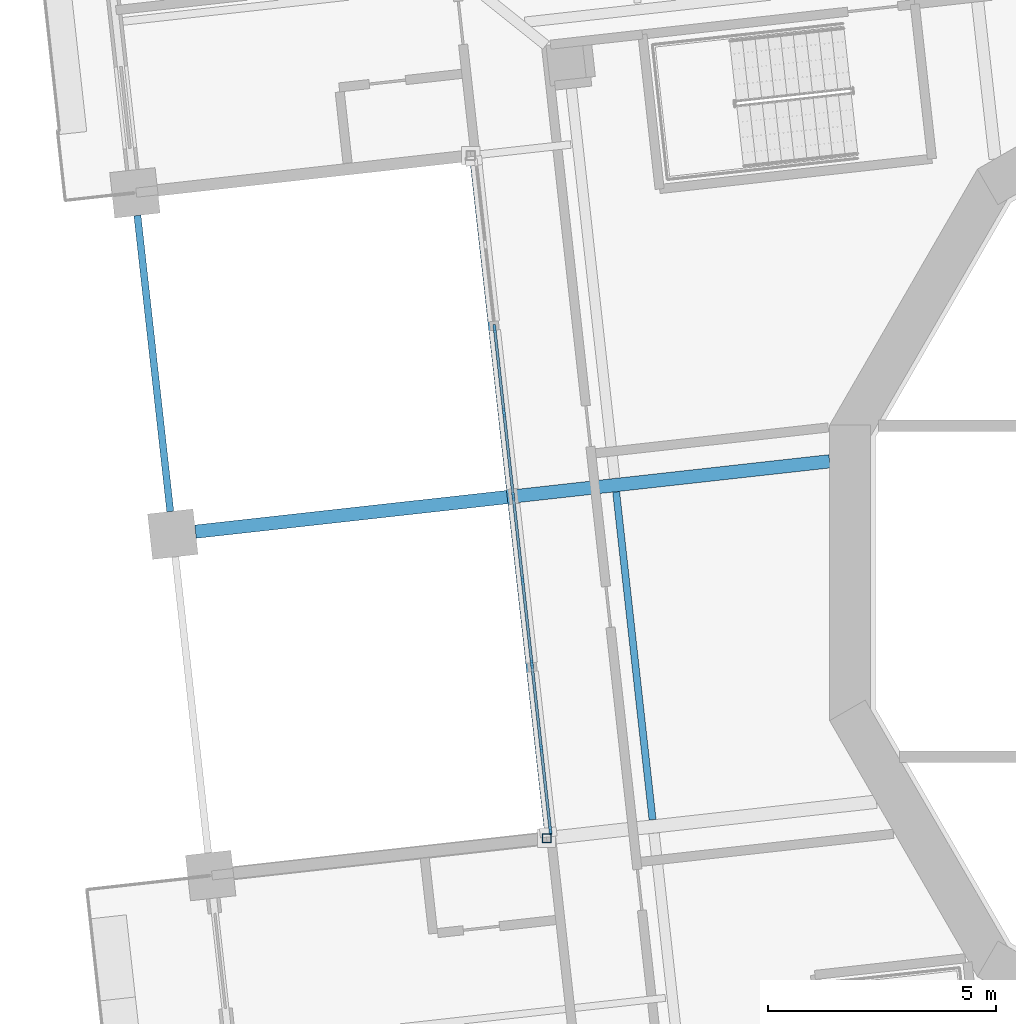
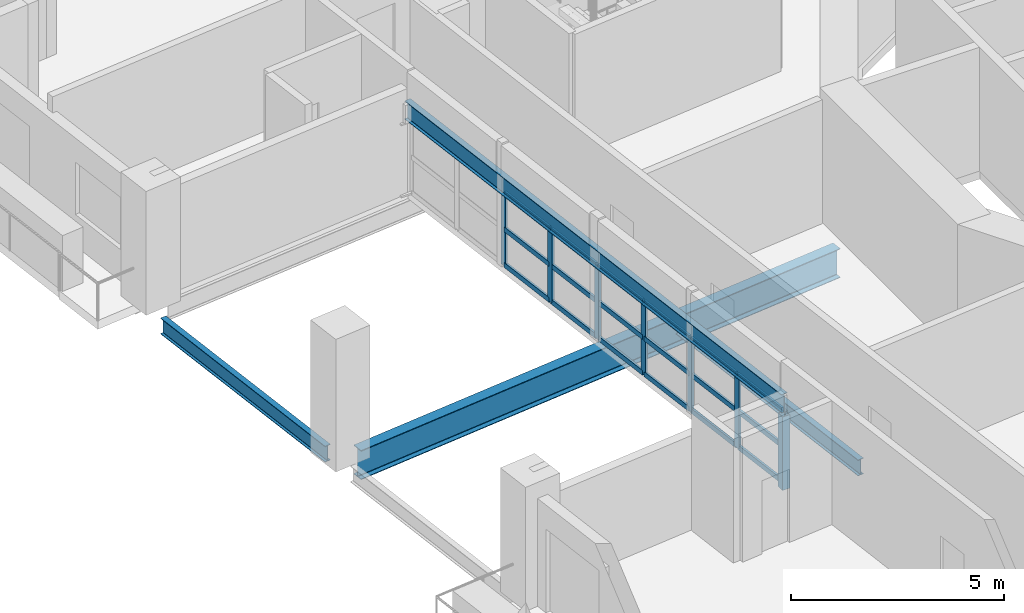
# One storey, part 2 of 21: 26 members, 4 beams, 1 element without a shape of its own.
"""IFC4 building model written with IfcOpenShell, lengths in metres."""

from ifc_helpers import new_model, si_unit, direction, frame, origin, origin_2d, place, context, subcontext, project, spatial, rectangle, hollow_rectangle, i_section, extrude, material, material_profile, profile_set, type_object, element, aggregate, save


model = new_model("IFC4")

# Units and contexts
model_context = context("Model", 3, precision=1e-05, world=origin(), true_north=direction((0.0, 1.0)))
body_context = subcontext(model_context, "Body", "Model", "MODEL_VIEW")
ifc_project = project(units=[si_unit("LENGTHUNIT", "METRE"), si_unit("AREAUNIT", "SQUARE_METRE"), si_unit("VOLUMEUNIT", "CUBIC_METRE"), si_unit("PLANEANGLEUNIT", "RADIAN"), si_unit("MASSUNIT", "GRAM", prefix="KILO")], contexts=[model_context])

# Site, building, storey
site_placement = place(None, origin())
site = spatial("IfcSite", under=ifc_project, at=site_placement, CompositionType="ELEMENT")
building_placement = place(site_placement, origin())
building = spatial("IfcBuilding", under=site, at=building_placement, Name="Cantera Rosa Tower", CompositionType="ELEMENT")
storey_placement = place(building_placement, frame((0.0, 0.0, 72.89990234375)))
storey = spatial("IfcBuildingStorey", under=building, at=storey_placement, Name="L15", CompositionType="ELEMENT", Elevation=72.89990234375)

# Curtain wall, members
ifc_material_1 = material(Name="Aluminium frame with clear glass", Category="aluminium")
curtain_wall_type = type_object("IfcCurtainWallType", Name="CW1 TERRACE POCKET GLAZING", PredefinedType="NOTDEFINED", material=ifc_material_1)
curtain_wall_placement = place(storey_placement, origin())
curtain_wall = element("IfcCurtainWall", 1, at=curtain_wall_placement, inside=storey, type_object=curtain_wall_type, Name="CW1 CW1", PredefinedType="NOTDEFINED")
ifc_material_2 = material(Name="Anodised bronze aluminium", Category="aluminium")
ifc_material_profile_1 = material_profile(ifc_material_2, rectangle(XDim=0.06005859375, YDim=0.179931640625, at=origin_2d()), Name="CW-MULLION 60x180 POCKET")
ifc_profile_set_1 = profile_set([ifc_material_profile_1], Name="Anodised bronze aluminium")
member_type_1 = type_object("IfcMemberType", Name="CW-MULLION 60x180 POCKET", PredefinedType="MULLION", material=ifc_profile_set_1)
member_1_placement = place(storey_placement, frame((-19.408447265625, 5.34912109375, 0.0), z_axis=(0.0, 0.0, 1.0), x_axis=(0.993896946417, 0.110312555508, 0.0)))
member_1 = element("IfcMember", 2, at=member_1_placement, type_object=member_type_1, Name="CW1 mullion 3", PredefinedType="MULLION", context=body_context, shape_type="SweptSolid", body=[
    extrude(rectangle(XDim=0.06005859375, YDim=0.179931640625, at=origin_2d()), origin(), (0.0, 0.0, 1.0), 2.10400390625),
])
member_2_placement = place(storey_placement, frame((-19.20458984375, 3.51171875, 0.0), z_axis=(0.0, 0.0, 1.0), x_axis=(0.993896946417, 0.110312555508, 0.0)))
member_2 = element("IfcMember", 3, at=member_2_placement, type_object=member_type_1, Name="CW1 mullion 4", PredefinedType="MULLION", context=body_context, shape_type="SweptSolid", body=[
    extrude(rectangle(XDim=0.06005859375, YDim=0.179931640625, at=origin_2d()), origin(), (0.0, 0.0, 1.0), 2.10400390625),
])
member_3_placement = place(storey_placement, frame((-19.000732421875, 1.67431640625, 0.0), z_axis=(0.0, 0.0, 1.0), x_axis=(0.993896946417, 0.110312555508, 0.0)))
member_3 = element("IfcMember", 4, at=member_3_placement, type_object=member_type_1, Name="CW1 mullion 5", PredefinedType="MULLION", context=body_context, shape_type="SweptSolid", body=[
    extrude(rectangle(XDim=0.06005859375, YDim=0.179931640625, at=origin_2d()), origin(), (0.0, 0.0, 1.0), 2.10400390625),
])
member_4_placement = place(storey_placement, frame((-18.796630859375, -0.163330078125, 0.0), z_axis=(0.0, 0.0, 1.0), x_axis=(0.993896946417, 0.110312555508, 0.0)))
member_4 = element("IfcMember", 5, at=member_4_placement, type_object=member_type_1, Name="CW1 mullion 6", PredefinedType="MULLION", context=body_context, shape_type="SweptSolid", body=[
    extrude(rectangle(XDim=0.06005859375, YDim=0.179931640625, at=origin_2d()), origin(), (0.0, 0.0, 1.0), 2.10400390625),
])
member_5_placement = place(storey_placement, frame((-18.5927734375, -2.000732421875, 0.0), z_axis=(0.0, 0.0, 1.0), x_axis=(0.993896946417, 0.110312555508, 0.0)))
member_5 = element("IfcMember", 6, at=member_5_placement, type_object=member_type_1, Name="CW1 mullion 7", PredefinedType="MULLION", context=body_context, shape_type="SweptSolid", body=[
    extrude(rectangle(XDim=0.06005859375, YDim=0.179931640625, at=origin_2d()), origin(), (0.0, 0.0, 1.0), 2.10400390625),
])
member_6_placement = place(storey_placement, frame((-18.388916015625, -3.838134765625, 0.0), z_axis=(0.0, 0.0, 1.0), x_axis=(0.993896946417, 0.110312555508, 0.0)))
member_6 = element("IfcMember", 7, at=member_6_placement, type_object=member_type_1, Name="CW1 mullion 8", PredefinedType="MULLION", context=body_context, shape_type="SweptSolid", body=[
    extrude(rectangle(XDim=0.06005859375, YDim=0.179931640625, at=origin_2d()), origin(), (0.0, 0.0, 1.0), 2.10400390625),
])
member_7_placement = place(storey_placement, frame((-18.188232421875, -5.645751953125, 0.0), z_axis=(0.0, 0.0, 1.0), x_axis=(0.993896946417, 0.110312555508, 0.0)))
member_7 = element("IfcMember", 8, at=member_7_placement, type_object=member_type_1, Name="CW1 mullion 9", PredefinedType="MULLION", context=body_context, shape_type="SweptSolid", body=[
    extrude(rectangle(XDim=0.06005859375, YDim=0.179931640625, at=origin_2d()), origin(), (0.0, 0.0, 1.0), 2.10400390625),
])
ifc_material_3 = material(Name="Anodised bronze aluminium", Category="aluminium")
ifc_material_profile_2 = material_profile(ifc_material_3, rectangle(XDim=0.06005859375, YDim=0.139892578125, at=origin_2d()), Name="CW-TRANSOM 60x140 POCKET")
ifc_profile_set_2 = profile_set([ifc_material_profile_2], Name="Anodised bronze aluminium")
member_type_2 = type_object("IfcMemberType", Name="CW-TRANSOM 60x140 POCKET", PredefinedType="USERDEFINED", material=ifc_profile_set_2)
member_8_placement = place(storey_placement, frame((-19.4052734375, 5.3193359375, 0.030029296875), z_axis=(0.110281721709, -0.993900368174, 0.0), x_axis=(0.993900368174, 0.110281721709, 0.0)))
member_8 = element("IfcMember", 9, at=member_8_placement, type_object=member_type_2, Name="CW1 transom 3.1", ObjectType="TRANSOM", PredefinedType="USERDEFINED", context=body_context, shape_type="SweptSolid", body=[
    extrude(rectangle(XDim=0.06005859375, YDim=0.139892578125, at=origin_2d()), origin(), (0.0, 0.0, 1.0), 1.788818359375),
])
member_9_placement = place(storey_placement, frame((-19.4052734375, 5.3193359375, 1.052001953125), z_axis=(0.110281721709, -0.993900368174, 0.0), x_axis=(0.993900368174, 0.110281721709, 0.0)))
member_9 = element("IfcMember", 10, at=member_9_placement, type_object=member_type_2, Name="CW1 transom 3.2", ObjectType="TRANSOM", PredefinedType="USERDEFINED", context=body_context, shape_type="SweptSolid", body=[
    extrude(rectangle(XDim=0.06005859375, YDim=0.139892578125, at=origin_2d()), origin(), (0.0, 0.0, 1.0), 1.788818359375),
])
member_10_placement = place(storey_placement, frame((-19.4052734375, 5.3193359375, 2.07421875), z_axis=(0.110281721709, -0.993900368174, 0.0), x_axis=(0.993900368174, 0.110281721709, 0.0)))
member_10 = element("IfcMember", 11, at=member_10_placement, type_object=member_type_2, Name="CW1 transom 3.3", ObjectType="TRANSOM", PredefinedType="USERDEFINED", context=body_context, shape_type="SweptSolid", body=[
    extrude(rectangle(XDim=0.06005859375, YDim=0.139892578125, at=origin_2d()), origin(), (0.0, 0.0, 1.0), 1.788818359375),
])
member_11_placement = place(storey_placement, frame((-19.201171875, 3.48193359375, 0.030029296875), z_axis=(0.110281721709, -0.993900368174, 0.0), x_axis=(0.993900368174, 0.110281721709, 0.0)))
member_11 = element("IfcMember", 12, at=member_11_placement, type_object=member_type_2, Name="CW1 transom 4.1", ObjectType="TRANSOM", PredefinedType="USERDEFINED", context=body_context, shape_type="SweptSolid", body=[
    extrude(rectangle(XDim=0.06005859375, YDim=0.139892578125, at=origin_2d()), origin(), (0.0, 0.0, 1.0), 1.788818359375),
])
member_12_placement = place(storey_placement, frame((-19.201171875, 3.48193359375, 1.052001953125), z_axis=(0.110281721709, -0.993900368174, 0.0), x_axis=(0.993900368174, 0.110281721709, 0.0)))
member_12 = element("IfcMember", 13, at=member_12_placement, type_object=member_type_2, Name="CW1 transom 4.2", ObjectType="TRANSOM", PredefinedType="USERDEFINED", context=body_context, shape_type="SweptSolid", body=[
    extrude(rectangle(XDim=0.06005859375, YDim=0.139892578125, at=origin_2d()), origin(), (0.0, 0.0, 1.0), 1.788818359375),
])
member_13_placement = place(storey_placement, frame((-19.201171875, 3.48193359375, 2.07421875), z_axis=(0.110281721709, -0.993900368174, 0.0), x_axis=(0.993900368174, 0.110281721709, 0.0)))
member_13 = element("IfcMember", 14, at=member_13_placement, type_object=member_type_2, Name="CW1 transom 4.3", ObjectType="TRANSOM", PredefinedType="USERDEFINED", context=body_context, shape_type="SweptSolid", body=[
    extrude(rectangle(XDim=0.06005859375, YDim=0.139892578125, at=origin_2d()), origin(), (0.0, 0.0, 1.0), 1.788818359375),
])
member_14_placement = place(storey_placement, frame((-18.997314453125, 1.644287109375, 0.030029296875), z_axis=(0.110281721709, -0.993900368174, 0.0), x_axis=(0.993900368174, 0.110281721709, 0.0)))
member_14 = element("IfcMember", 15, at=member_14_placement, type_object=member_type_2, Name="CW1 transom 5.1", ObjectType="TRANSOM", PredefinedType="USERDEFINED", context=body_context, shape_type="SweptSolid", body=[
    extrude(rectangle(XDim=0.06005859375, YDim=0.139892578125, at=origin_2d()), origin(), (0.0, 0.0, 1.0), 1.788818359375),
])
member_15_placement = place(storey_placement, frame((-18.997314453125, 1.644287109375, 1.052001953125), z_axis=(0.110281721709, -0.993900368174, 0.0), x_axis=(0.993900368174, 0.110281721709, 0.0)))
member_15 = element("IfcMember", 16, at=member_15_placement, type_object=member_type_2, Name="CW1 transom 5.2", ObjectType="TRANSOM", PredefinedType="USERDEFINED", context=body_context, shape_type="SweptSolid", body=[
    extrude(rectangle(XDim=0.06005859375, YDim=0.139892578125, at=origin_2d()), origin(), (0.0, 0.0, 1.0), 1.788818359375),
])
member_16_placement = place(storey_placement, frame((-18.997314453125, 1.644287109375, 2.07421875), z_axis=(0.110281721709, -0.993900368174, 0.0), x_axis=(0.993900368174, 0.110281721709, 0.0)))
member_16 = element("IfcMember", 17, at=member_16_placement, type_object=member_type_2, Name="CW1 transom 5.3", ObjectType="TRANSOM", PredefinedType="USERDEFINED", context=body_context, shape_type="SweptSolid", body=[
    extrude(rectangle(XDim=0.06005859375, YDim=0.139892578125, at=origin_2d()), origin(), (0.0, 0.0, 1.0), 1.788818359375),
])
member_17_placement = place(storey_placement, frame((-18.79345703125, -0.193115234375, 0.030029296875), z_axis=(0.110281721709, -0.993900368174, 0.0), x_axis=(0.993900368174, 0.110281721709, 0.0)))
member_17 = element("IfcMember", 18, at=member_17_placement, type_object=member_type_2, Name="CW1 transom 6.1", ObjectType="TRANSOM", PredefinedType="USERDEFINED", context=body_context, shape_type="SweptSolid", body=[
    extrude(rectangle(XDim=0.06005859375, YDim=0.139892578125, at=origin_2d()), origin(), (0.0, 0.0, 1.0), 1.788818359375),
])
member_18_placement = place(storey_placement, frame((-18.79345703125, -0.193115234375, 1.052001953125), z_axis=(0.110281721709, -0.993900368174, 0.0), x_axis=(0.993900368174, 0.110281721709, 0.0)))
member_18 = element("IfcMember", 19, at=member_18_placement, type_object=member_type_2, Name="CW1 transom 6.2", ObjectType="TRANSOM", PredefinedType="USERDEFINED", context=body_context, shape_type="SweptSolid", body=[
    extrude(rectangle(XDim=0.06005859375, YDim=0.139892578125, at=origin_2d()), origin(), (0.0, 0.0, 1.0), 1.788818359375),
])
member_19_placement = place(storey_placement, frame((-18.79345703125, -0.193115234375, 2.07421875), z_axis=(0.110281721709, -0.993900368174, 0.0), x_axis=(0.993900368174, 0.110281721709, 0.0)))
member_19 = element("IfcMember", 20, at=member_19_placement, type_object=member_type_2, Name="CW1 transom 6.3", ObjectType="TRANSOM", PredefinedType="USERDEFINED", context=body_context, shape_type="SweptSolid", body=[
    extrude(rectangle(XDim=0.06005859375, YDim=0.139892578125, at=origin_2d()), origin(), (0.0, 0.0, 1.0), 1.788818359375),
])
member_20_placement = place(storey_placement, frame((-18.58935546875, -2.030517578125, 0.030029296875), z_axis=(0.110281721709, -0.993900368174, 0.0), x_axis=(0.993900368174, 0.110281721709, 0.0)))
member_20 = element("IfcMember", 21, at=member_20_placement, type_object=member_type_2, Name="CW1 transom 7.1", ObjectType="TRANSOM", PredefinedType="USERDEFINED", context=body_context, shape_type="SweptSolid", body=[
    extrude(rectangle(XDim=0.06005859375, YDim=0.139892578125, at=origin_2d()), origin(), (0.0, 0.0, 1.0), 1.788818359375),
])
member_21_placement = place(storey_placement, frame((-18.58935546875, -2.030517578125, 1.052001953125), z_axis=(0.110281721709, -0.993900368174, 0.0), x_axis=(0.993900368174, 0.110281721709, 0.0)))
member_21 = element("IfcMember", 22, at=member_21_placement, type_object=member_type_2, Name="CW1 transom 7.2", ObjectType="TRANSOM", PredefinedType="USERDEFINED", context=body_context, shape_type="SweptSolid", body=[
    extrude(rectangle(XDim=0.06005859375, YDim=0.139892578125, at=origin_2d()), origin(), (0.0, 0.0, 1.0), 1.788818359375),
])
member_22_placement = place(storey_placement, frame((-18.58935546875, -2.030517578125, 2.07421875), z_axis=(0.110281721709, -0.993900368174, 0.0), x_axis=(0.993900368174, 0.110281721709, 0.0)))
member_22 = element("IfcMember", 23, at=member_22_placement, type_object=member_type_2, Name="CW1 transom 7.3", ObjectType="TRANSOM", PredefinedType="USERDEFINED", context=body_context, shape_type="SweptSolid", body=[
    extrude(rectangle(XDim=0.06005859375, YDim=0.139892578125, at=origin_2d()), origin(), (0.0, 0.0, 1.0), 1.788818359375),
])
member_23_placement = place(storey_placement, frame((-18.385498046875, -3.867919921875, 0.030029296875), z_axis=(0.110355348566, -0.993892195886, 0.0), x_axis=(0.993892195886, 0.110355348566, 0.0)))
member_23 = element("IfcMember", 24, at=member_23_placement, type_object=member_type_2, Name="CW1 transom 8.1", ObjectType="TRANSOM", PredefinedType="USERDEFINED", context=body_context, shape_type="SweptSolid", body=[
    extrude(rectangle(XDim=0.06005859375, YDim=0.139892578125, at=origin_2d()), origin(), (0.0, 0.0, 1.0), 1.7587890625),
])
member_24_placement = place(storey_placement, frame((-18.385498046875, -3.867919921875, 1.052001953125), z_axis=(0.110355348566, -0.993892195886, 0.0), x_axis=(0.993892195886, 0.110355348566, 0.0)))
member_24 = element("IfcMember", 25, at=member_24_placement, type_object=member_type_2, Name="CW1 transom 8.2", ObjectType="TRANSOM", PredefinedType="USERDEFINED", context=body_context, shape_type="SweptSolid", body=[
    extrude(rectangle(XDim=0.06005859375, YDim=0.139892578125, at=origin_2d()), origin(), (0.0, 0.0, 1.0), 1.7587890625),
])
member_25_placement = place(storey_placement, frame((-18.385498046875, -3.867919921875, 2.07421875), z_axis=(0.110355348566, -0.993892195886, 0.0), x_axis=(0.993892195886, 0.110355348566, 0.0)))
member_25 = element("IfcMember", 26, at=member_25_placement, type_object=member_type_2, Name="CW1 transom 8.3", ObjectType="TRANSOM", PredefinedType="USERDEFINED", context=body_context, shape_type="SweptSolid", body=[
    extrude(rectangle(XDim=0.06005859375, YDim=0.139892578125, at=origin_2d()), origin(), (0.0, 0.0, 1.0), 1.7587890625),
])
aggregate(curtain_wall, [member_1, member_2, member_3, member_4, member_5, member_6, member_7, member_8, member_9, member_10, member_11, member_12, member_13, member_14, member_15, member_16, member_17, member_18, member_19, member_20, member_21, member_22, member_23, member_24, member_25])

# Member
ifc_material_4 = material(Name="Steel ASTM A992 (Fy 345 MPa)", Category="steel")
ifc_material_profile_3 = material_profile(ifc_material_4, hollow_rectangle(XDim=0.199951171875, YDim=0.199951171875, WallThickness=0.010009765625, at=origin_2d()), Name="LINTEL POST RHS 200x200x10")
ifc_profile_set_3 = profile_set([ifc_material_profile_3], Name="Steel ASTM A992 (Fy 345 MPa)")
member_type_3 = type_object("IfcMemberType", Name="LINTEL POST RHS 200x200x10", PredefinedType="USERDEFINED", material=ifc_profile_set_3)
member_26_placement = place(storey_placement, frame((-18.2705078125, -5.810791015625, 0.0), z_axis=(0.0, 0.0, 1.0), x_axis=(1.0, 0.0, 0.0)))
element("IfcMember", 27, at=member_26_placement, inside=storey, type_object=member_type_3, Name="LINTEL POST L15-2", ObjectType="LINTEL POST", PredefinedType="USERDEFINED", context=body_context, shape_type="SweptSolid", body=[
    extrude(hollow_rectangle(XDim=0.199951171875, YDim=0.199951171875, WallThickness=0.010009765625, at=origin_2d()), origin(), (0.0, 0.0, 1.0), 2.106201171875),
])

# Beams
ifc_material_5 = material(Name="Steel ASTM A992 (Fy 345 MPa)", Category="steel")
ifc_material_profile_4 = material_profile(ifc_material_5, i_section(OverallWidth=0.154052734375, OverallDepth=0.4599609375, WebThickness=0.009033203125, FlangeThickness=0.015380859375, FilletRadius=0.01025390625, at=origin_2d()), Name="W460X68")
ifc_profile_set_4 = profile_set([ifc_material_profile_4], Name="Steel ASTM A992 (Fy 345 MPa)")
beam_type_1 = type_object("IfcBeamType", Name="STEEL BEAM W460X68", PredefinedType="BEAM", material=ifc_profile_set_4)
beam_1_placement = place(storey_placement, frame((-15.951416015625, -5.402587890625, -0.47998046875), z_axis=(-0.110301629462, 0.993898159037, 0.0), x_axis=(-0.993898159037, -0.110301629462, 0.0)))
element("IfcBeam", 28, at=beam_1_placement, inside=storey, type_object=beam_type_1, Name="RB-Z1-11 L15", PredefinedType="BEAM", context=body_context, shape_type="SweptSolid", body=[
    extrude(i_section(OverallWidth=0.154052734375, OverallDepth=0.4599609375, WebThickness=0.009033203125, FlangeThickness=0.015380859375, FilletRadius=0.01025390625, at=origin_2d()), origin(), (0.0, 0.0, 1.0), 7.219970703125),
])
ifc_material_6 = material(Name="Steel ASTM A992 (Fy 345 MPa)", Category="steel")
ifc_material_profile_5 = material_profile(ifc_material_6, i_section(OverallWidth=0.166015625, OverallDepth=0.528076171875, WebThickness=0.009765625, FlangeThickness=0.013671875, FilletRadius=0.0126953125, at=origin_2d()), Name="W530X74")
ifc_profile_set_5 = profile_set([ifc_material_profile_5], Name="Steel ASTM A992 (Fy 345 MPa)")
beam_type_2 = type_object("IfcBeamType", Name="STEEL BEAM W530X74", PredefinedType="BEAM", material=ifc_profile_set_5)
beam_2_placement = place(storey_placement, frame((-19.87451171875, 9.093017578125, 2.3701171875), z_axis=(0.110322116426, -0.993895885205, 0.0), x_axis=(0.993895885205, 0.110322116426, 0.0)))
element("IfcBeam", 29, at=beam_2_placement, inside=storey, type_object=beam_type_2, Name="LINTEL SL-L15", PredefinedType="BEAM", context=body_context, shape_type="SweptSolid", body=[
    extrude(i_section(OverallWidth=0.166015625, OverallDepth=0.528076171875, WebThickness=0.009765625, FlangeThickness=0.013671875, FilletRadius=0.0126953125, at=origin_2d()), origin(), (0.0, 0.0, 1.0), 14.93994140625),
])
ifc_material_7 = material(Name="Steel ASTM A992 (Fy 345 MPa)", Category="steel")
ifc_material_profile_6 = material_profile(ifc_material_7, i_section(OverallWidth=0.2919921875, OverallDepth=0.8359375, WebThickness=0.013916015625, FlangeThickness=0.018798828125, FilletRadius=0.017822265625, at=origin_2d()), Name="W840X176")
ifc_profile_set_6 = profile_set([ifc_material_profile_6], Name="Steel ASTM A992 (Fy 345 MPa)")
beam_type_3 = type_object("IfcBeamType", Name="STEEL BEAM W840X176", PredefinedType="BEAM", material=ifc_profile_set_6)
beam_3_placement = place(storey_placement, frame((-25.9580078125, 0.902099609375, -0.66796875), z_axis=(0.993898644981, 0.110297250672, 0.0), x_axis=(-0.110297250672, 0.993898644981, 0.0)))
element("IfcBeam", 30, at=beam_3_placement, inside=storey, type_object=beam_type_3, Name="G-Z1-16 L15", PredefinedType="BEAM", context=body_context, shape_type="SweptSolid", body=[
    extrude(i_section(OverallWidth=0.2919921875, OverallDepth=0.8359375, WebThickness=0.013916015625, FlangeThickness=0.018798828125, FilletRadius=0.017822265625, at=origin_2d()), origin(), (0.0, 0.0, 1.0), 13.96923828125),
])
ifc_material_8 = material(Name="Steel ASTM A992 (Fy 345 MPa)", Category="steel")
ifc_material_profile_7 = material_profile(ifc_material_8, i_section(OverallWidth=0.154052734375, OverallDepth=0.4599609375, WebThickness=0.009033203125, FlangeThickness=0.015380859375, FilletRadius=0.01025390625, at=origin_2d()), Name="W460X68")
ifc_profile_set_7 = profile_set([ifc_material_profile_7], Name="Steel ASTM A992 (Fy 345 MPa)")
beam_type_4 = type_object("IfcBeamType", Name="STEEL SPANDREL BEAM W460X68", PredefinedType="SPANDREL", material=ifc_profile_set_7)
beam_4_placement = place(storey_placement, frame((-27.229248046875, 7.823974609375, -0.47998046875), z_axis=(0.110312341265, -0.993896970196, 0.0), x_axis=(0.993896970196, 0.110312341265, 0.0)))
element("IfcBeam", 31, at=beam_4_placement, inside=storey, type_object=beam_type_4, Name="EB-Z1-17 L15", PredefinedType="SPANDREL", context=body_context, shape_type="SweptSolid", body=[
    extrude(i_section(OverallWidth=0.154052734375, OverallDepth=0.4599609375, WebThickness=0.009033203125, FlangeThickness=0.015380859375, FilletRadius=0.01025390625, at=origin_2d()), origin(), (0.0, 0.0, 1.0), 6.52001953125),
])

save(model, "model.ifc")
